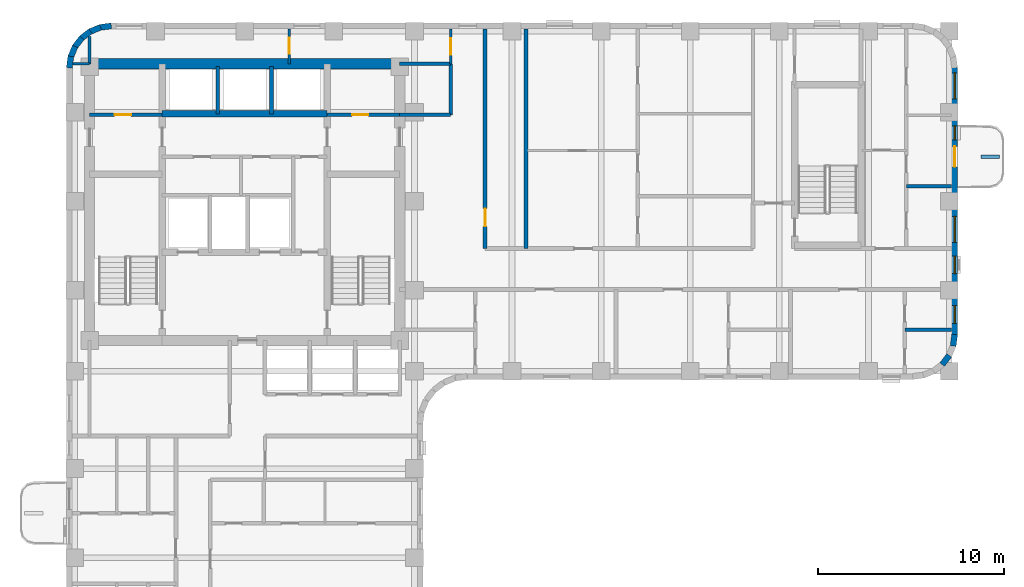
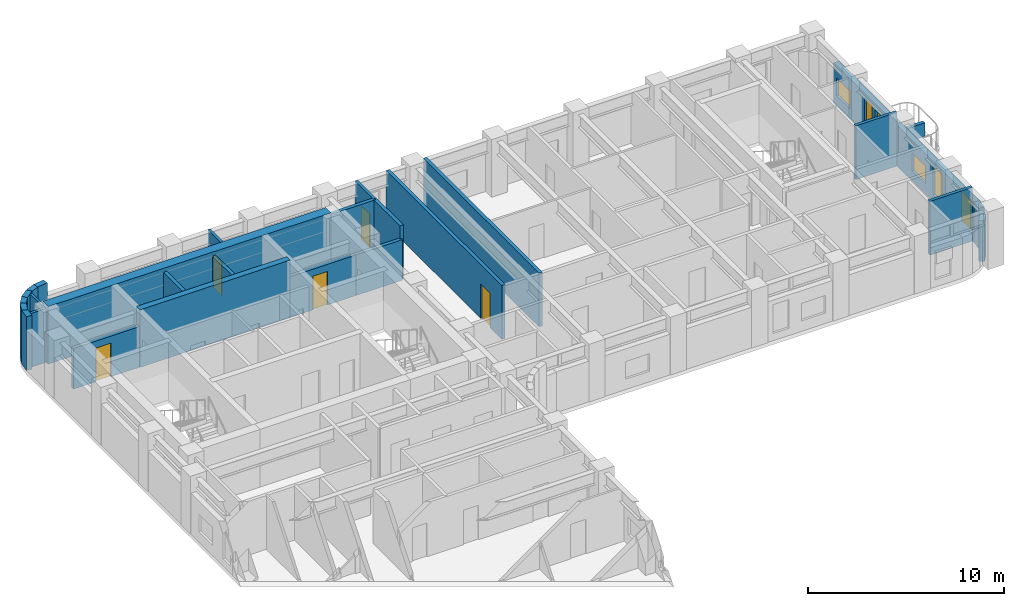
# One storey, part 6 of 9: 27 walls, 6 doors, 5 windows, 11 openings.
"""IFC4 building model written with IfcOpenShell, lengths in metres."""

from ifc_helpers import new_model, si_unit, direction, frame, frame_2d, origin, place, context, subcontext, project, spatial, rectangle, extrude, material, layer, layer_set, type_object, element, fill, save


model = new_model("IFC4")

# Units and contexts
model_context = context("Model", 3, precision=1e-05, world=origin(), true_north=direction((0.0, 1.0)))
body_context = subcontext(model_context, "Body", "Model", "MODEL_VIEW")
ifc_project = project(units=[si_unit("LENGTHUNIT", "METRE"), si_unit("AREAUNIT", "SQUARE_METRE"), si_unit("VOLUMEUNIT", "CUBIC_METRE"), si_unit("PLANEANGLEUNIT", "RADIAN"), si_unit("MASSUNIT", "GRAM", prefix="KILO")], contexts=[model_context])

# Site, building, storey
site_placement = place(None, origin())
site = spatial("IfcSite", under=ifc_project, at=site_placement, CompositionType="ELEMENT")
building_placement = place(site_placement, origin())
building = spatial("IfcBuilding", under=site, at=building_placement, Name="Orvandelia Arch Residences", CompositionType="ELEMENT")
storey_placement = place(building_placement, frame((0.0, 0.0, 128.800048828125)))
storey = spatial("IfcBuildingStorey", under=building, at=storey_placement, Name="L33", CompositionType="ELEMENT", Elevation=128.800048828125)

# Walls
ifc_material_1 = material(Name="Concrete C50/60", Category="concrete")
ifc_layer_1 = layer(ifc_material_1, 0.35009765625, Name="Concrete C50/60", Category="concrete")
ifc_layer_set_1 = layer_set([ifc_layer_1], Name="Concrete C50/60")
wall_type_1 = type_object("IfcWallType", Name="WL-CORE-350", PredefinedType="SHEAR", material=ifc_layer_set_1)
wall_1_placement = place(storey_placement, frame((9.9599609375, 43.10009765625, 0.0), z_axis=(0.0, 0.0, 1.0), x_axis=(1.0, 0.0, 0.0)))
element("IfcWall", 1, at=wall_1_placement, inside=storey, type_object=wall_type_1, Name="Core Shear Wall L33-HZ4", PredefinedType="SHEAR", context=body_context, shape_type="SweptSolid", body=[
    extrude(rectangle(XDim=8.880126953125, YDim=0.35009765625, at=frame_2d((4.43994140625, 0.0))), origin(), (0.0, 0.0, 1.0), 3.599853515625),
])
ifc_material_2 = material(Name="Concrete C60/75", Category="concrete")
ifc_layer_2 = layer(ifc_material_2, 0.550048828125, Name="Concrete C60/75", Category="concrete")
ifc_layer_set_2 = layer_set([ifc_layer_2], Name="Concrete C60/75")
wall_type_2 = type_object("IfcWallType", Name="WL-CORE-550", PredefinedType="SHEAR", material=ifc_layer_set_2)
wall_2_placement = place(storey_placement, frame((6.050048828125, 45.800048828125, 0.0), z_axis=(0.0, 0.0, 1.0), x_axis=(1.0, 0.0, 0.0)))
element("IfcWall", 2, at=wall_2_placement, inside=storey, type_object=wall_type_2, Name="Core Shear Wall L33-N", PredefinedType="SHEAR", context=body_context, shape_type="SweptSolid", body=[
    extrude(rectangle(XDim=16.699951171875, YDim=0.550048828125, at=frame_2d((8.35009765625, 0.0))), origin(), (0.0, 0.0, 1.0), 3.599853515625),
])
ifc_material_3 = material(Name="Fire-Rated Corridor Partition")
ifc_layer_3 = layer(ifc_material_3, 0.199951171875, Name="Fire-Rated Corridor Partition")
ifc_layer_set_3 = layer_set([ifc_layer_3], Name="Fire-Rated Corridor Partition")
wall_type_3 = type_object("IfcWallType", Name="WL-CORR-200", PredefinedType="PARTITIONING", material=ifc_layer_set_3)
wall_3_placement = place(storey_placement, frame((22.75, 45.800048828125, 0.0), z_axis=(0.0, 0.0, 1.0), x_axis=(1.0, 0.0, 0.0)))
element("IfcWall", 3, at=wall_3_placement, inside=storey, type_object=wall_type_3, Name="Interior Partition Wall WL-L33-NCE-S", PredefinedType="PARTITIONING", context=body_context, shape_type="SweptSolid", body=[
    extrude(rectangle(XDim=2.75, YDim=0.199951171875, at=frame_2d((1.375, 0.0))), origin(), (0.0, 0.0, 1.0), 3.35986328125),
])

# Wall, opening, door
wall_4_placement = place(storey_placement, frame((27.35009765625, 35.85009765625, 0.0), z_axis=(0.0, 0.0, 1.0), x_axis=(0.0, 1.0, 0.0)))
wall_4 = element("IfcWall", 4, at=wall_4_placement, inside=storey, type_object=wall_type_3, Name="Interior Partition Wall WL-L33-ES-NCE", PredefinedType="PARTITIONING", context=body_context, shape_type="SweptSolid", body=[
    extrude(rectangle(XDim=11.829833984375, YDim=0.199951171875, at=frame_2d((5.9150390625, 0.0))), origin(), (0.0, 0.0, 1.0), 3.35986328125),
])
opening_1_placement = place(wall_4_placement, frame((1.199951171875, 0.0, 0.0)))
opening_1 = element("IfcOpeningElement", 5, at=opening_1_placement, cuts=wall_4, Name="Opening D2", PredefinedType="OPENING", context=body_context, shape_type="SweptSolid", body=[
    extrude(rectangle(XDim=0.949951171875, YDim=2.14990234375, at=frame_2d((0.47509765625, 1.074951171875))), frame((0.0, 0.10986328125, 0.0), z_axis=(0.0, -1.0, 0.0), x_axis=(1.0, 0.0, 0.0)), (0.0, 0.0, 1.0), 0.219970703125),
])
ifc_material_4 = material(Name="Solid-Core Timber Interior Fire Door", Category="wood")
door_type_1 = type_object("IfcDoorType", Name="DR-APT-950", OperationType="NOTDEFINED", PredefinedType="DOOR", material=ifc_material_4)
door_1_placement = place(opening_1_placement, origin())
door_1 = element("IfcDoor", 6, at=door_1_placement, inside=storey, type_object=door_type_1, Name="DR-L33-ESLDY", OperationType="SINGLE_SWING_RIGHT", OverallHeight=2.14990234375, OverallWidth=0.949951171875, PredefinedType="DOOR", context=body_context, shape_type="SweptSolid", body=[
    extrude(rectangle(XDim=0.949951171875, YDim=2.14990234375, at=frame_2d((0.47509765625, 1.074951171875))), frame((0.0, 0.02490234375, 0.0), z_axis=(0.0, -1.0, 0.0), x_axis=(1.0, 0.0, 0.0)), (0.0, 0.0, 1.0), 0.050048828125),
])
fill(opening_1, door_1)

# Walls
wall_5_placement = place(storey_placement, frame((22.75, 43.050048828125, 0.0), z_axis=(0.0, 0.0, 1.0), x_axis=(1.0, 0.0, 0.0)))
element("IfcWall", 7, at=wall_5_placement, inside=storey, type_object=wall_type_3, Name="Interior Partition Wall WL-L33-ES-LS", PredefinedType="PARTITIONING", context=body_context, shape_type="SweptSolid", body=[
    extrude(rectangle(XDim=2.75, YDim=0.199951171875, at=frame_2d((1.375, 0.0))), origin(), (0.0, 0.0, 1.0), 2.5400390625),
])
wall_6_placement = place(storey_placement, frame((25.5, 43.050048828125, 0.0), z_axis=(0.0, 0.0, 1.0), x_axis=(0.0, 1.0, 0.0)))
element("IfcWall", 8, at=wall_6_placement, inside=storey, type_object=wall_type_3, Name="Interior Partition Wall WL-L33-ES-LW2", PredefinedType="PARTITIONING", context=body_context, shape_type="SweptSolid", body=[
    extrude(rectangle(XDim=2.75, YDim=0.199951171875, at=frame_2d((1.375, 0.0))), origin(), (0.0, 0.0, 1.0), 3.35986328125),
])
ifc_material_5 = material(Name="Concrete C40/50", Category="concrete")
ifc_layer_4 = layer(ifc_material_5, 0.199951171875, Name="Concrete C40/50", Category="concrete")
ifc_layer_set_4 = layer_set([ifc_layer_4], Name="Concrete C40/50")
wall_type_4 = type_object("IfcWallType", Name="WL-DEM-200", PredefinedType="SOLIDWALL", material=ifc_layer_set_4)
wall_7_placement = place(storey_placement, frame((29.550048828125, 35.85009765625, 0.0), z_axis=(0.0, 0.0, 1.0), x_axis=(0.0, 1.0, 0.0)))
element("IfcWall", 9, at=wall_7_placement, inside=storey, type_object=wall_type_4, Name="Interior Partition Wall WL-L33-ES-LDE", PredefinedType="SOLIDWALL", context=body_context, shape_type="SweptSolid", body=[
    extrude(rectangle(XDim=11.829833984375, YDim=0.199951171875, at=frame_2d((5.9150390625, 0.0))), origin(), (0.0, 0.0, 1.0), 3.35986328125),
])
ifc_material_6 = material(Name="Precast concrete C40/50", Category="concrete")
ifc_layer_5 = layer(ifc_material_6, 0.320068359375, Name="Precast concrete C40/50", Category="concrete")
ifc_layer_set_5 = layer_set([ifc_layer_5], Name="Precast concrete C40/50")
wall_type_5 = type_object("IfcWallType", Name="WL-EXT-STONE-320", PredefinedType="STANDARD", material=ifc_layer_set_5)
for number, where, z_axis, x_axis, name in (
    (10, (4.95849609375, 45.5791015625, 0.0), (0.0, 0.0, 1.0), (0.130555323746, 0.9914410257, 0.0), "Coral-Limestone Precast Facade Wall L33-001"),
    (11, (5.029541015625, 46.159912109375, 0.0), (0.0, 0.0, 1.0), (0.382650053678, 0.92389335771, 0.0), "Coral-Limestone Precast Facade Wall L33-002"),
):
    element("IfcWall", number, at=place(storey_placement, frame(where, z_axis=z_axis, x_axis=x_axis)), inside=storey, type_object=wall_type_5, Name=name, PredefinedType="STANDARD", context=body_context, shape_type="SweptSolid", body=[
        extrude(rectangle(XDim=0.62646484375, YDim=0.320068359375, at=frame_2d((0.313232421875, 0.0))), origin(), (0.0, 0.0, 1.0), 3.35986328125),
    ])
wall_8_placement = place(storey_placement, frame((5.248291015625, 46.70263671875, 0.0), z_axis=(0.0, 0.0, 1.0), x_axis=(0.608938521285, 0.7932174212, 0.0)))
element("IfcWall", 12, at=wall_8_placement, inside=storey, type_object=wall_type_5, Name="Coral-Limestone Precast Facade Wall L33-003", PredefinedType="STANDARD", context=body_context, shape_type="SweptSolid", body=[
    extrude(rectangle(XDim=0.626708984375, YDim=0.320068359375, at=frame_2d((0.3134765625, 0.0))), origin(), (0.0, 0.0, 1.0), 3.35986328125),
])
wall_9_placement = place(storey_placement, frame((5.600341796875, 47.170166015625, 0.0), z_axis=(0.0, 0.0, 1.0), x_axis=(0.793405610854, 0.608693302629, 0.0)))
element("IfcWall", 13, at=wall_9_placement, inside=storey, type_object=wall_type_5, Name="Coral-Limestone Precast Facade Wall L33-004", PredefinedType="STANDARD", context=body_context, shape_type="SweptSolid", body=[
    extrude(rectangle(XDim=0.62646484375, YDim=0.320068359375, at=frame_2d((0.313232421875, 0.0))), origin(), (0.0, 0.0, 1.0), 3.35986328125),
])
wall_10_placement = place(storey_placement, frame((6.061279296875, 47.53076171875, 0.0), z_axis=(0.0, 0.0, 1.0), x_axis=(0.923836271867, 0.382787856107, 0.0)))
element("IfcWall", 14, at=wall_10_placement, inside=storey, type_object=wall_type_5, Name="Coral-Limestone Precast Facade Wall L33-005", PredefinedType="STANDARD", context=body_context, shape_type="SweptSolid", body=[
    extrude(rectangle(XDim=0.626220703125, YDim=0.320068359375, at=frame_2d((0.31298828125, 0.0))), origin(), (0.0, 0.0, 1.0), 3.35986328125),
])
wall_11_placement = place(storey_placement, frame((6.599609375, 47.759521484375, 0.0), z_axis=(0.0, 0.0, 1.0), x_axis=(0.991447664465, 0.130504898859, 0.0)))
element("IfcWall", 15, at=wall_11_placement, inside=storey, type_object=wall_type_5, Name="Coral-Limestone Precast Facade Wall L33-006", PredefinedType="STANDARD", context=body_context, shape_type="SweptSolid", body=[
    extrude(rectangle(XDim=0.626708984375, YDim=0.320068359375, at=frame_2d((0.3134765625, 0.0))), origin(), (0.0, 0.0, 1.0), 3.35986328125),
])

# Wall, openings, door, windows
wall_12_placement = place(storey_placement, frame((52.639892578125, 45.60009765625, 0.0), z_axis=(0.0, 0.0, 1.0), x_axis=(0.0, -1.0, 0.0)))
wall_12 = element("IfcWall", 16, at=wall_12_placement, inside=storey, type_object=wall_type_5, Name="Coral-Limestone Precast Facade Wall L33-014", PredefinedType="STANDARD", context=body_context, shape_type="SweptSolid", body=[
    extrude(rectangle(XDim=14.400146484375, YDim=0.320068359375, at=frame_2d((7.2001953125, 0.0))), origin(), (0.0, 0.0, 1.0), 2.5400390625),
])
opening_2_placement = place(wall_12_placement, frame((4.25, 0.0, 0.0)))
opening_2 = element("IfcOpeningElement", 17, at=opening_2_placement, cuts=wall_12, Name="Opening BD1", PredefinedType="OPENING", context=body_context, shape_type="SweptSolid", body=[
    extrude(rectangle(XDim=1.10009765625, YDim=2.14990234375, at=frame_2d((0.550048828125, 1.074951171875))), frame((0.0, 0.169921875, 0.0), z_axis=(0.0, -1.0, 0.0), x_axis=(1.0, 0.0, 0.0)), (0.0, 0.0, 1.0), 0.340087890625),
])
opening_3_placement = place(wall_12_placement, frame((0.282470703125, 0.0, 0.64990234375)))
opening_3 = element("IfcOpeningElement", 18, at=opening_3_placement, cuts=wall_12, Name="Opening W10", PredefinedType="OPENING", context=body_context, shape_type="SweptSolid", body=[
    extrude(rectangle(XDim=1.39990234375, YDim=1.10009765625, at=frame_2d((0.699951171875, 0.550048828125))), frame((0.0, 0.169921875, 0.0), z_axis=(0.0, -1.0, 0.0), x_axis=(1.0, 0.0, 0.0)), (0.0, 0.0, 1.0), 0.340087890625),
])
opening_4_placement = place(wall_12_placement, frame((10.152587890625, 0.0, 0.449951171875)))
opening_4 = element("IfcOpeningElement", 19, at=opening_4_placement, cuts=wall_12, Name="Opening W4", PredefinedType="OPENING", context=body_context, shape_type="SweptSolid", body=[
    extrude(rectangle(XDim=0.949951171875, YDim=1.800048828125, at=frame_2d((0.47509765625, 0.89990234375))), frame((0.0, 0.169921875, 0.0), z_axis=(0.0, -1.0, 0.0), x_axis=(1.0, 0.0, 0.0)), (0.0, 0.0, 1.0), 0.340087890625),
])
opening_5_placement = place(wall_12_placement, frame((12.830078125, 0.0, 0.449951171875)))
opening_5 = element("IfcOpeningElement", 20, at=opening_5_placement, cuts=wall_12, Name="Opening W4", PredefinedType="OPENING", context=body_context, shape_type="SweptSolid", body=[
    extrude(rectangle(XDim=0.949951171875, YDim=1.800048828125, at=frame_2d((0.47509765625, 0.89990234375))), frame((0.0, 0.169921875, 0.0), z_axis=(0.0, -1.0, 0.0), x_axis=(1.0, 0.0, 0.0)), (0.0, 0.0, 1.0), 0.340087890625),
])
opening_6_placement = place(wall_12_placement, frame((8.012451171875, 0.0, 0.64990234375)))
opening_6 = element("IfcOpeningElement", 21, at=opening_6_placement, cuts=wall_12, Name="Opening W10", PredefinedType="OPENING", context=body_context, shape_type="SweptSolid", body=[
    extrude(rectangle(XDim=1.39990234375, YDim=1.10009765625, at=frame_2d((0.699951171875, 0.550048828125))), frame((0.0, 0.169921875, 0.0), z_axis=(0.0, -1.0, 0.0), x_axis=(1.0, 0.0, 0.0)), (0.0, 0.0, 1.0), 0.340087890625),
])
opening_7_placement = place(wall_12_placement, frame((3.1474609375, 0.0, 0.449951171875)))
opening_7 = element("IfcOpeningElement", 22, at=opening_7_placement, cuts=wall_12, Name="Opening W11", PredefinedType="OPENING", context=body_context, shape_type="SweptSolid", body=[
    extrude(rectangle(XDim=0.75, YDim=1.800048828125, at=frame_2d((0.375, 0.89990234375))), frame((0.0, 0.169921875, 0.0), z_axis=(0.0, -1.0, 0.0), x_axis=(1.0, 0.0, 0.0)), (0.0, 0.0, 1.0), 0.340087890625),
])
ifc_material_7 = material(Name="Thermally Broken Aluminium Glazed Door", Category="aluminium")
door_type_2 = type_object("IfcDoorType", Name="DR-BAL-GLAZ-1100", OperationType="NOTDEFINED", PredefinedType="DOOR", material=ifc_material_7)
door_2_placement = place(opening_2_placement, origin())
door_2 = element("IfcDoor", 23, at=door_2_placement, inside=storey, type_object=door_type_2, Name="Tree Balcony Glazed Door BAL-L33-E1", OperationType="SINGLE_SWING_LEFT", OverallHeight=2.14990234375, OverallWidth=1.10009765625, PredefinedType="DOOR", context=body_context, shape_type="SweptSolid", body=[
    extrude(rectangle(XDim=1.10009765625, YDim=2.14990234375, at=frame_2d((0.550048828125, 1.074951171875))), frame((0.0, 0.02490234375, 0.0), z_axis=(0.0, -1.0, 0.0), x_axis=(1.0, 0.0, 0.0)), (0.0, 0.0, 1.0), 0.050048828125),
])
fill(opening_2, door_2)
ifc_material_8 = material(Name="Tempered Low-E Insulated Glazing", Category="glass")
window_type_1 = type_object("IfcWindowType", Name="WIN-BED-0750x1800", PartitioningType="SINGLE_PANEL", PredefinedType="WINDOW", material=ifc_material_8)
window_1_placement = place(opening_7_placement, origin())
window_1 = element("IfcWindow", 24, at=window_1_placement, inside=storey, type_object=window_type_1, Name="Recessed Punched Window L33-012", OverallHeight=1.800048828125, OverallWidth=0.75, PartitioningType="SINGLE_PANEL", PredefinedType="WINDOW", context=body_context, shape_type="SweptSolid", body=[
    extrude(rectangle(XDim=0.75, YDim=1.800048828125, at=frame_2d((0.375, 0.89990234375))), frame((0.0, 0.030029296875, 0.0), z_axis=(0.0, -1.0, 0.0), x_axis=(1.0, 0.0, 0.0)), (0.0, 0.0, 1.0), 0.06005859375),
])
fill(opening_7, window_1)
window_type_2 = type_object("IfcWindowType", Name="WIN-CLR-1400x1100", PartitioningType="SINGLE_PANEL", PredefinedType="WINDOW", material=ifc_material_8)
window_2_placement = place(opening_3_placement, origin())
window_2 = element("IfcWindow", 25, at=window_2_placement, inside=storey, type_object=window_type_2, Name="Recessed Punched Window L33-008", OverallHeight=1.10009765625, OverallWidth=1.39990234375, PartitioningType="SINGLE_PANEL", PredefinedType="WINDOW", context=body_context, shape_type="SweptSolid", body=[
    extrude(rectangle(XDim=1.39990234375, YDim=1.10009765625, at=frame_2d((0.699951171875, 0.550048828125))), frame((0.0, 0.030029296875, 0.0), z_axis=(0.0, -1.0, 0.0), x_axis=(1.0, 0.0, 0.0)), (0.0, 0.0, 1.0), 0.06005859375),
])
fill(opening_3, window_2)
window_3_placement = place(opening_6_placement, origin())
window_3 = element("IfcWindow", 26, at=window_3_placement, inside=storey, type_object=window_type_2, Name="Recessed Punched Window L33-011", OverallHeight=1.10009765625, OverallWidth=1.39990234375, PartitioningType="SINGLE_PANEL", PredefinedType="WINDOW", context=body_context, shape_type="SweptSolid", body=[
    extrude(rectangle(XDim=1.39990234375, YDim=1.10009765625, at=frame_2d((0.699951171875, 0.550048828125))), frame((0.0, 0.030029296875, 0.0), z_axis=(0.0, -1.0, 0.0), x_axis=(1.0, 0.0, 0.0)), (0.0, 0.0, 1.0), 0.06005859375),
])
fill(opening_6, window_3)
window_type_3 = type_object("IfcWindowType", Name="WIN-RES-0950x1800", PartitioningType="SINGLE_PANEL", PredefinedType="WINDOW", material=ifc_material_8)
window_4_placement = place(opening_4_placement, origin())
window_4 = element("IfcWindow", 27, at=window_4_placement, inside=storey, type_object=window_type_3, Name="Recessed Punched Window L33-009", OverallHeight=1.800048828125, OverallWidth=0.949951171875, PartitioningType="SINGLE_PANEL", PredefinedType="WINDOW", context=body_context, shape_type="SweptSolid", body=[
    extrude(rectangle(XDim=0.949951171875, YDim=1.800048828125, at=frame_2d((0.47509765625, 0.89990234375))), frame((0.0, 0.030029296875, 0.0), z_axis=(0.0, -1.0, 0.0), x_axis=(1.0, 0.0, 0.0)), (0.0, 0.0, 1.0), 0.06005859375),
])
fill(opening_4, window_4)
window_5_placement = place(opening_5_placement, origin())
window_5 = element("IfcWindow", 28, at=window_5_placement, inside=storey, type_object=window_type_3, Name="Recessed Punched Window L33-010", OverallHeight=1.800048828125, OverallWidth=0.949951171875, PartitioningType="SINGLE_PANEL", PredefinedType="WINDOW", context=body_context, shape_type="SweptSolid", body=[
    extrude(rectangle(XDim=0.949951171875, YDim=1.800048828125, at=frame_2d((0.47509765625, 0.89990234375))), frame((0.0, 0.030029296875, 0.0), z_axis=(0.0, -1.0, 0.0), x_axis=(1.0, 0.0, 0.0)), (0.0, 0.0, 1.0), 0.06005859375),
])
fill(opening_5, window_5)

# Walls
wall_13_placement = place(storey_placement, frame((52.641357421875, 31.220947265625, 0.0), z_axis=(0.0, 0.0, 1.0), x_axis=(-0.130504898859, -0.991447664465, 0.0)))
element("IfcWall", 29, at=wall_13_placement, inside=storey, type_object=wall_type_5, Name="Coral-Limestone Precast Facade Wall L33-015", PredefinedType="STANDARD", context=body_context, shape_type="SweptSolid", body=[
    extrude(rectangle(XDim=0.626708984375, YDim=0.320068359375, at=frame_2d((0.3134765625, 0.0))), origin(), (0.0, 0.0, 1.0), 2.5400390625),
])
wall_14_placement = place(storey_placement, frame((52.3515625, 30.097412109375, 0.0), z_axis=(0.0, 0.0, 1.0), x_axis=(-0.608693302629, -0.793405610854, 0.0)))
element("IfcWall", 30, at=wall_14_placement, inside=storey, type_object=wall_type_5, Name="Coral-Limestone Precast Facade Wall L33-017", PredefinedType="STANDARD", context=body_context, shape_type="SweptSolid", body=[
    extrude(rectangle(XDim=0.62646484375, YDim=0.320068359375, at=frame_2d((0.313232421875, 0.0))), origin(), (0.0, 0.0, 1.0), 2.5400390625),
])
ifc_material_9 = material(Name="Acoustic Gypsum Stud Partition")
ifc_layer_6 = layer(ifc_material_9, 0.14990234375, Name="Acoustic Gypsum Stud Partition")
ifc_layer_set_6 = layer_set([ifc_layer_6], Name="Acoustic Gypsum Stud Partition")
wall_type_6 = type_object("IfcWallType", Name="WL-PART-150", PredefinedType="PARTITIONING", material=ifc_layer_set_6)
wall_15_placement = place(storey_placement, frame((5.159912109375, 45.800048828125, 0.0), z_axis=(0.0, 0.0, 1.0), x_axis=(1.0, 0.0, 0.0)))
element("IfcWall", 31, at=wall_15_placement, inside=storey, type_object=wall_type_6, Name="Interior Partition Wall WL-L33-WF-N", PredefinedType="PARTITIONING", context=body_context, shape_type="SweptSolid", body=[
    extrude(rectangle(XDim=0.89013671875, YDim=0.14990234375, at=frame_2d((0.445068359375, 0.0))), origin(), (0.0, 0.0, 1.0), 3.35986328125),
])

# Wall, opening, door
wall_16_placement = place(storey_placement, frame((25.5, 45.800048828125, 0.0), z_axis=(0.0, 0.0, 1.0), x_axis=(0.0, 1.0, 0.0)))
wall_16 = element("IfcWall", 32, at=wall_16_placement, inside=storey, type_object=wall_type_6, Name="Interior Partition Wall WL-L33-NCE-W", PredefinedType="PARTITIONING", context=body_context, shape_type="SweptSolid", body=[
    extrude(rectangle(XDim=1.8798828125, YDim=0.14990234375, at=frame_2d((0.93994140625, 0.0))), origin(), (0.0, 0.0, 1.0), 3.35986328125),
])
opening_8_placement = place(wall_16_placement, frame((0.5, 0.0, 0.0)))
opening_8 = element("IfcOpeningElement", 33, at=opening_8_placement, cuts=wall_16, Name="Opening D5", PredefinedType="OPENING", context=body_context, shape_type="SweptSolid", body=[
    extrude(rectangle(XDim=0.8798828125, YDim=2.10009765625, at=frame_2d((0.43994140625, 1.050048828125))), frame((0.0, 0.0849609375, 0.0), z_axis=(0.0, -1.0, 0.0), x_axis=(1.0, 0.0, 0.0)), (0.0, 0.0, 1.0), 0.169921875),
])
ifc_material_10 = material(Name="Painted Galvanised Steel Service Door", Category="steel")
door_type_3 = type_object("IfcDoorType", Name="DR-SRV-880", OperationType="NOTDEFINED", PredefinedType="DOOR", material=ifc_material_10)
door_3_placement = place(opening_8_placement, origin())
door_3 = element("IfcDoor", 34, at=door_3_placement, inside=storey, type_object=door_type_3, Name="DR-L33-NCS2", OperationType="SINGLE_SWING_LEFT", OverallHeight=2.10009765625, OverallWidth=0.8798828125, PredefinedType="DOOR", context=body_context, shape_type="SweptSolid", body=[
    extrude(rectangle(XDim=0.8798828125, YDim=2.10009765625, at=frame_2d((0.43994140625, 1.050048828125))), frame((0.0, 0.02490234375, 0.0), z_axis=(0.0, -1.0, 0.0), x_axis=(1.0, 0.0, 0.0)), (0.0, 0.0, 1.0), 0.050048828125),
])
fill(opening_8, door_3)

# Wall
wall_17_placement = place(storey_placement, frame((6.050048828125, 45.800048828125, 0.0), z_axis=(0.0, 0.0, 1.0), x_axis=(0.0, 1.0, 0.0)))
element("IfcWall", 35, at=wall_17_placement, inside=storey, type_object=wall_type_6, Name="Interior Partition Wall WL-L33-NC-W6", PredefinedType="PARTITIONING", context=body_context, shape_type="SweptSolid", body=[
    extrude(rectangle(XDim=1.4599609375, YDim=0.14990234375, at=frame_2d((0.72998046875, 0.0))), origin(), (0.0, 0.0, 1.0), 3.35986328125),
])

# Wall, opening, door
wall_18_placement = place(storey_placement, frame((16.800048828125, 45.800048828125, 0.0), z_axis=(0.0, 0.0, 1.0), x_axis=(0.0, 1.0, 0.0)))
wall_18 = element("IfcWall", 36, at=wall_18_placement, inside=storey, type_object=wall_type_6, Name="Interior Partition Wall WL-L33-NC-M", PredefinedType="PARTITIONING", context=body_context, shape_type="SweptSolid", body=[
    extrude(rectangle(XDim=1.8798828125, YDim=0.14990234375, at=frame_2d((0.93994140625, 0.0))), origin(), (0.0, 0.0, 1.0), 3.35986328125),
])
opening_9_placement = place(wall_18_placement, frame((0.550048828125, 0.0, 0.0)))
opening_9 = element("IfcOpeningElement", 37, at=opening_9_placement, cuts=wall_18, Name="Opening D4", PredefinedType="OPENING", context=body_context, shape_type="SweptSolid", body=[
    extrude(rectangle(XDim=0.860107421875, YDim=2.10009765625, at=frame_2d((0.43017578125, 1.050048828125))), frame((0.0, 0.0849609375, 0.0), z_axis=(0.0, -1.0, 0.0), x_axis=(1.0, 0.0, 0.0)), (0.0, 0.0, 1.0), 0.169921875),
])
ifc_material_11 = material(Name="Moisture-Sealed Timber Bathroom Door", Category="wood")
door_type_4 = type_object("IfcDoorType", Name="DR-WET-900", OperationType="NOTDEFINED", PredefinedType="DOOR", material=ifc_material_11)
door_4_placement = place(opening_9_placement, origin())
door_4 = element("IfcDoor", 38, at=door_4_placement, inside=storey, type_object=door_type_4, Name="DR-L33-NCS1", OperationType="SINGLE_SWING_LEFT", OverallHeight=2.10009765625, OverallWidth=0.860107421875, PredefinedType="DOOR", context=body_context, shape_type="SweptSolid", body=[
    extrude(rectangle(XDim=0.860107421875, YDim=2.10009765625, at=frame_2d((0.43017578125, 1.050048828125))), frame((0.0, 0.02490234375, 0.0), z_axis=(0.0, -1.0, 0.0), x_axis=(1.0, 0.0, 0.0)), (0.0, 0.0, 1.0), 0.050048828125),
])
fill(opening_9, door_4)

# Wall
ifc_layer_7 = layer(ifc_material_6, 0.199951171875, Name="Precast concrete C40/50", Category="concrete")
ifc_layer_set_7 = layer_set([ifc_layer_7], Name="Precast concrete C40/50")
wall_type_7 = type_object("IfcWallType", Name="WL-PLANTER-200", PredefinedType="MOVABLE", material=ifc_layer_set_7)
wall_19_placement = place(storey_placement, frame((54.050048828125, 40.800048828125, 0.0), z_axis=(0.0, 0.0, 1.0), x_axis=(1.0, 0.0, 0.0)))
element("IfcWall", 39, at=wall_19_placement, inside=storey, type_object=wall_type_7, Name="Balcony Precast Tree Planter BAL-L33-E1", PredefinedType="MOVABLE", context=body_context, shape_type="SweptSolid", body=[
    extrude(rectangle(XDim=1.0, YDim=0.199951171875, at=frame_2d((0.5, 0.0))), origin(), (0.0, 0.0, 1.0), 0.849853515625),
])

# Wall, opening, door
ifc_material_12 = material(Name="Fire-Rated Shaft Enclosure Wall")
ifc_layer_8 = layer(ifc_material_12, 0.199951171875, Name="Fire-Rated Shaft Enclosure Wall")
ifc_layer_set_8 = layer_set([ifc_layer_8], Name="Fire-Rated Shaft Enclosure Wall")
wall_type_8 = type_object("IfcWallType", Name="WL-SHAFT-200", PredefinedType="POLYGONAL", material=ifc_layer_set_8)
wall_20_placement = place(storey_placement, frame((18.840087890625, 43.050048828125, 0.0), z_axis=(0.0, 0.0, 1.0), x_axis=(1.0, 0.0, 0.0)))
wall_20 = element("IfcWall", 40, at=wall_20_placement, inside=storey, type_object=wall_type_8, Name="Interior Partition Wall WL-L33-HLE-N", PredefinedType="POLYGONAL", context=body_context, shape_type="SweptSolid", body=[
    extrude(rectangle(XDim=3.909912109375, YDim=0.199951171875, at=frame_2d((1.955078125, 0.0))), origin(), (0.0, 0.0, 1.0), 2.5400390625),
])
opening_10_placement = place(wall_20_placement, frame((1.35009765625, 0.0, 0.0)))
opening_10 = element("IfcOpeningElement", 41, at=opening_10_placement, cuts=wall_20, Name="Opening D5", PredefinedType="OPENING", context=body_context, shape_type="SweptSolid", body=[
    extrude(rectangle(XDim=0.8798828125, YDim=2.10009765625, at=frame_2d((0.43994140625, 1.050048828125))), frame((0.0, 0.10986328125, 0.0), z_axis=(0.0, -1.0, 0.0), x_axis=(1.0, 0.0, 0.0)), (0.0, 0.0, 1.0), 0.219970703125),
])
door_5_placement = place(opening_10_placement, origin())
door_5 = element("IfcDoor", 42, at=door_5_placement, inside=storey, type_object=door_type_3, Name="DR-L33-CSB1", OperationType="SINGLE_SWING_LEFT", OverallHeight=2.10009765625, OverallWidth=0.8798828125, PredefinedType="DOOR", context=body_context, shape_type="SweptSolid", body=[
    extrude(rectangle(XDim=0.8798828125, YDim=2.10009765625, at=frame_2d((0.43994140625, 1.050048828125))), frame((0.0, 0.02490234375, 0.0), z_axis=(0.0, -1.0, 0.0), x_axis=(1.0, 0.0, 0.0)), (0.0, 0.0, 1.0), 0.050048828125),
])
fill(opening_10, door_5)

wall_21_placement = place(storey_placement, frame((6.050048828125, 43.050048828125, 0.0), z_axis=(0.0, 0.0, 1.0), x_axis=(1.0, 0.0, 0.0)))
wall_21 = element("IfcWall", 43, at=wall_21_placement, inside=storey, type_object=wall_type_8, Name="Interior Partition Wall WL-L33-HLW-N", PredefinedType="POLYGONAL", context=body_context, shape_type="SweptSolid", body=[
    extrude(rectangle(XDim=3.909912109375, YDim=0.199951171875, at=frame_2d((1.955078125, 0.0))), origin(), (0.0, 0.0, 1.0), 2.5400390625),
])
opening_11_placement = place(wall_21_placement, frame((1.35009765625, 0.0, 0.0)))
opening_11 = element("IfcOpeningElement", 44, at=opening_11_placement, cuts=wall_21, Name="Opening D5", PredefinedType="OPENING", context=body_context, shape_type="SweptSolid", body=[
    extrude(rectangle(XDim=0.8798828125, YDim=2.10009765625, at=frame_2d((0.43994140625, 1.050048828125))), frame((0.0, 0.10986328125, 0.0), z_axis=(0.0, -1.0, 0.0), x_axis=(1.0, 0.0, 0.0)), (0.0, 0.0, 1.0), 0.219970703125),
])
door_6_placement = place(opening_11_placement, origin())
door_6 = element("IfcDoor", 45, at=door_6_placement, inside=storey, type_object=door_type_3, Name="Riser Service Door L33", OperationType="SINGLE_SWING_RIGHT", OverallHeight=2.10009765625, OverallWidth=0.8798828125, PredefinedType="DOOR", context=body_context, shape_type="SweptSolid", body=[
    extrude(rectangle(XDim=0.8798828125, YDim=2.10009765625, at=frame_2d((0.43994140625, 1.050048828125))), frame((0.0, 0.02490234375, 0.0), z_axis=(0.0, -1.0, 0.0), x_axis=(1.0, 0.0, 0.0)), (0.0, 0.0, 1.0), 0.050048828125),
])
fill(opening_11, door_6)

# Walls
for number, where, z_axis, x_axis, name in (
    (46, (12.949951171875, 43.10009765625, 0.0), (0.0, 0.0, 1.0), (0.0, 1.0, 0.0), "Interior Partition Wall WL-L33-PHD1"),
    (47, (15.85009765625, 43.10009765625, 0.0), (0.0, 0.0, 1.0), (0.0, 1.0, 0.0), "Interior Partition Wall WL-L33-PHD2"),
):
    element("IfcWall", number, at=place(storey_placement, frame(where, z_axis=z_axis, x_axis=x_axis)), inside=storey, type_object=wall_type_8, Name=name, PredefinedType="POLYGONAL", context=body_context, shape_type="SweptSolid", body=[
        extrude(rectangle(XDim=2.5498046875, YDim=0.199951171875, at=frame_2d((1.27490234375, 0.0))), origin(), (0.0, 0.0, 1.0), 3.35986328125),
    ])
ifc_material_13 = material(Name="Moisture-Resistant Plumbing Wall")
ifc_layer_9 = layer(ifc_material_13, 0.179931640625, Name="Moisture-Resistant Plumbing Wall")
ifc_layer_set_9 = layer_set([ifc_layer_9], Name="Moisture-Resistant Plumbing Wall")
wall_type_9 = type_object("IfcWallType", Name="WL-WET-180", PredefinedType="PLUMBINGWALL", material=ifc_layer_set_9)
wall_22_placement = place(storey_placement, frame((49.9599609375, 31.485107421875, 0.0), z_axis=(0.0, 0.0, 1.0), x_axis=(1.0, 0.0, 0.0)))
element("IfcWall", 48, at=wall_22_placement, inside=storey, type_object=wall_type_9, Name="Interior Partition Wall WL-L33-U07-H1", PredefinedType="PLUMBINGWALL", context=body_context, shape_type="SweptSolid", body=[
    extrude(rectangle(XDim=2.52001953125, YDim=0.179931640625, at=frame_2d((1.260009765625, 0.0))), origin(), (0.0, 0.0, 1.0), 3.35986328125),
])
wall_23_placement = place(storey_placement, frame((50.04296875, 39.2041015625, 0.0), z_axis=(0.0, 0.0, 1.0), x_axis=(1.0, 0.0, 0.0)))
element("IfcWall", 49, at=wall_23_placement, inside=storey, type_object=wall_type_9, Name="Interior Partition Wall WL-L33-U09-H1", PredefinedType="PLUMBINGWALL", context=body_context, shape_type="SweptSolid", body=[
    extrude(rectangle(XDim=2.43701171875, YDim=0.179931640625, at=frame_2d((1.218505859375, 0.0))), origin(), (0.0, 0.0, 1.0), 3.35986328125),
])

save(model, "model.ifc")
